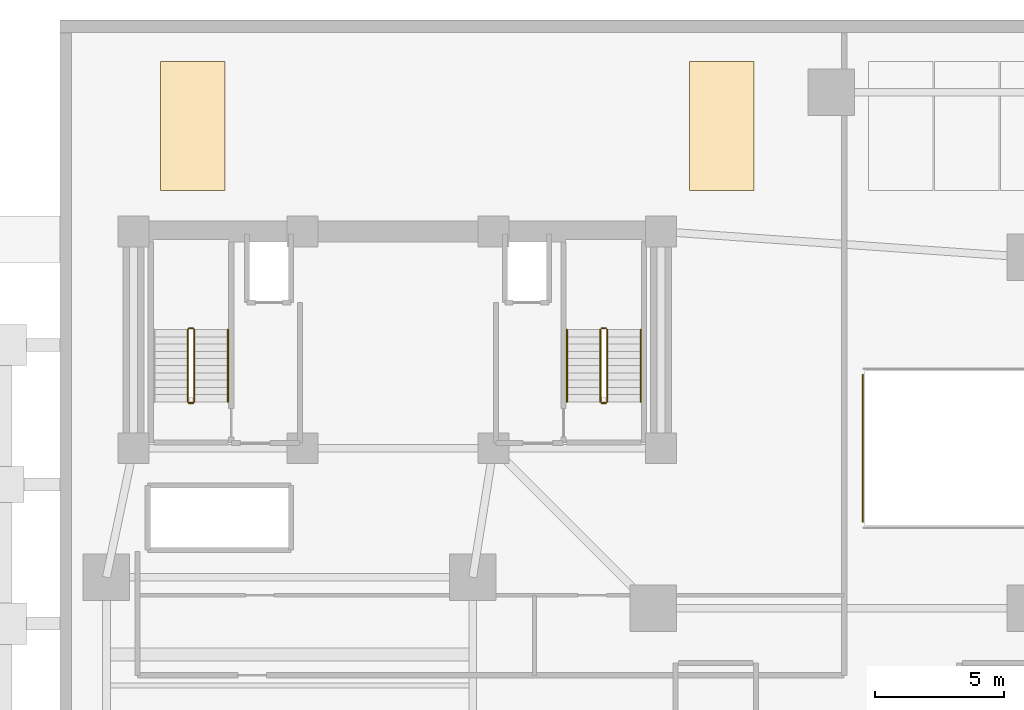
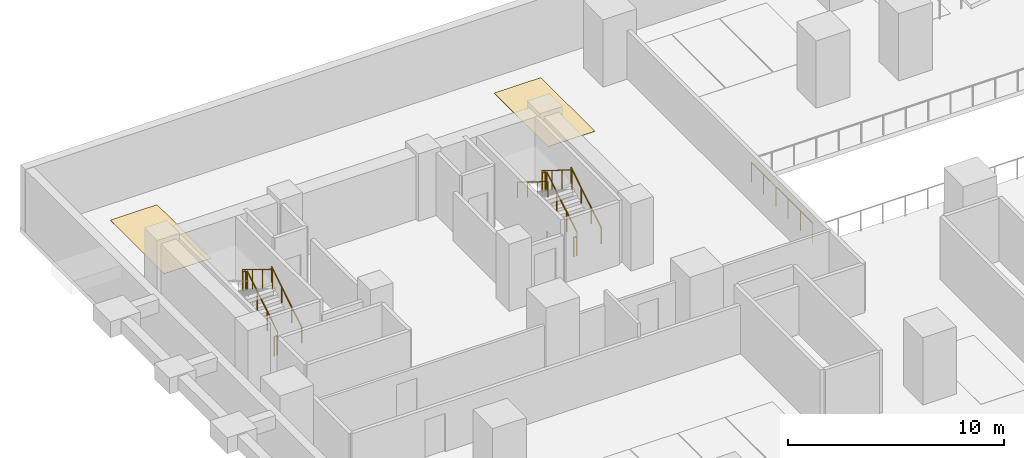
# One storey, part 7 of 9: 12 railings, 2 coverings.
"""IFC4 building model written with IfcOpenShell, lengths in metres."""

from ifc_helpers import new_model, si_unit, direction, frame, origin, origin_2d, place, context, subcontext, project, spatial, polyline, circle, outline, extrude, material, layer, layer_set, type_object, element, save


model = new_model("IFC4")

# Units and contexts
model_context = context("Model", 3, precision=1e-05, world=origin(), true_north=direction((0.0, 1.0)))
body_context = subcontext(model_context, "Body", "Model", "MODEL_VIEW")
ifc_project = project(units=[si_unit("LENGTHUNIT", "METRE"), si_unit("AREAUNIT", "SQUARE_METRE"), si_unit("VOLUMEUNIT", "CUBIC_METRE"), si_unit("PLANEANGLEUNIT", "RADIAN"), si_unit("MASSUNIT", "GRAM", prefix="KILO")], contexts=[model_context])

# Site, building, storey
site_placement = place(None, origin())
site = spatial("IfcSite", under=ifc_project, at=site_placement, CompositionType="ELEMENT")
building_placement = place(site_placement, origin())
building = spatial("IfcBuilding", under=site, at=building_placement, Name="Kuzgunbayir Cultural Tower", CompositionType="ELEMENT")
storey_placement = place(building_placement, frame((0.0, 0.0, -3.800048828125)))
storey = spatial("IfcBuildingStorey", under=building, at=storey_placement, Name="B01", CompositionType="ELEMENT", Elevation=-3.800048828125)

# Coverings
ifc_material_1 = material(Name="Epoxy Car Park Deck Coating", Category="finish")
ifc_layer_1 = layer(ifc_material_1, 0.006103515625)
ifc_layer_set_1 = layer_set([ifc_layer_1], Name="Epoxy Car Park Deck Coating")
covering_type = type_object("IfcCoveringType", Name="COV-PARK-BAY", PredefinedType="FLOORING", material=ifc_layer_set_1)
covering_1_placement = place(storey_placement, origin())
element("IfcCovering", 1, at=covering_1_placement, inside=storey, type_object=covering_type, Name="B01-P026 Car Parking Bay Marking", PredefinedType="FLOORING", context=body_context, shape_type="SweptSolid", body=[
    extrude(outline(polyline([(7.5, 43.800048828125), (10.0, 43.800048828125), (10.0, 48.800048828125), (7.5, 48.800048828125), (7.5, 43.800048828125)])), origin(), (0.0, 0.0, 1.0), 0.010009765625),
])
covering_2_placement = place(storey_placement, origin())
element("IfcCovering", 2, at=covering_2_placement, inside=storey, type_object=covering_type, Name="B01-P027 Car Parking Bay Marking", PredefinedType="FLOORING", context=body_context, shape_type="SweptSolid", body=[
    extrude(outline(polyline([(28.0, 43.800048828125), (30.5, 43.800048828125), (30.5, 48.800048828125), (28.0, 48.800048828125), (28.0, 43.800048828125)])), origin(), (0.0, 0.0, 1.0), 0.010009765625),
])

# Railings
ifc_material_2 = material(Name="Laminated Glass and Stainless Steel", Category="steel")
ifc_layer_2 = layer(ifc_material_2, 0.080078125)
ifc_layer_set_2 = layer_set([ifc_layer_2], Name="Laminated Glass and Stainless Steel")
railing_type_1 = type_object("IfcRailingType", Name="RLG-BAL-115", PredefinedType="BALUSTRADE", material=ifc_layer_set_2)
railing_1_placement = place(storey_placement, frame((34.719970703125, 36.639892578125, 0.0)))
element("IfcRailing", 3, at=railing_1_placement, inside=storey, type_object=railing_type_1, Name="B01 Perimeter Edge Guard 1", PredefinedType="BALUSTRADE", context=body_context, shape_type="SweptSolid", body=[
    extrude(circle(Radius=0.02392578125, at=origin_2d()), frame((0.0, 0.0, 1.1259765625), z_axis=(0.0, -1.0, 0.0), x_axis=(1.0, 0.0, 0.0)), (0.0, 0.0, 1.0), 5.679931640625),
    extrude(circle(Radius=0.02099609375, at=origin_2d()), origin(), (0.0, 0.0, 1.0), 1.101806640625),
    extrude(circle(Radius=0.02099609375, at=origin_2d()), frame((0.0, -1.135986328125, 0.0)), (0.0, 0.0, 1.0), 1.101806640625),
    extrude(circle(Radius=0.02099609375, at=origin_2d()), frame((0.0, -2.27197265625, 0.0)), (0.0, 0.0, 1.0), 1.101806640625),
    extrude(circle(Radius=0.02099609375, at=origin_2d()), frame((0.0, -3.407958984375, 0.0)), (0.0, 0.0, 1.0), 1.101806640625),
    extrude(circle(Radius=0.02099609375, at=origin_2d()), frame((0.0, -4.5439453125, 0.0)), (0.0, 0.0, 1.0), 1.101806640625),
    extrude(circle(Radius=0.02099609375, at=origin_2d()), frame((0.0, -5.679931640625, 0.0)), (0.0, 0.0, 1.0), 1.101806640625),
])
ifc_material_3 = material(Name="Brushed Stainless Steel", Category="steel")
ifc_layer_3 = layer(ifc_material_3, 0.050048828125)
ifc_layer_set_3 = layer_set([ifc_layer_3], Name="Brushed Stainless Steel")
railing_type_2 = type_object("IfcRailingType", Name="RLG-STAIR-HANDRAIL", PredefinedType="HANDRAIL", material=ifc_layer_set_3)
for number, where, name in (
    (4, (10.110107421875, 35.60009765625, 0.1728515625), "B01 ST-1 stair handrail 1"),
    (5, (26.110107421875, 35.60009765625, 0.1728515625), "B01 ST-2 stair handrail 1"),
):
    element("IfcRailing", number, at=place(storey_placement, frame(where)), inside=storey, type_object=railing_type_2, Name=name, PredefinedType="HANDRAIL", context=body_context, shape_type="SweptSolid", body=[
        extrude(circle(Radius=0.02392578125, at=origin_2d()), frame((0.0, 0.0, 0.8759765625), z_axis=(0.0, 0.851069175582, 0.525053576669), x_axis=(-1.0, 0.0, 0.0)), (0.0, 0.0, 1.0), 3.289794921875),
        extrude(circle(Radius=0.02099609375, at=origin_2d()), origin(), (0.0, 0.0, 1.0), 0.851806640625),
        extrude(circle(Radius=0.02099609375, at=origin_2d()), frame((0.0, 0.933349609375, 0.57568359375)), (0.0, 0.0, 1.0), 0.851806640625),
        extrude(circle(Radius=0.02099609375, at=origin_2d()), frame((0.0, 1.866455078125, 1.151611328125)), (0.0, 0.0, 1.0), 0.851806640625),
        extrude(circle(Radius=0.02099609375, at=origin_2d()), frame((0.0, 2.7998046875, 1.727294921875)), (0.0, 0.0, 1.0), 0.851806640625),
    ])
railing_2_placement = place(storey_placement, frame((23.25, 38.39990234375, 2.07275390625)))
element("IfcRailing", 6, at=railing_2_placement, inside=storey, type_object=railing_type_2, Name="B01 ST-2 stair handrail 2", PredefinedType="HANDRAIL", context=body_context, shape_type="SweptSolid", body=[
    extrude(circle(Radius=0.02392578125, at=origin_2d()), frame((0.0, 0.0, 0.8759765625), z_axis=(0.0, -0.851069175582, 0.525053576669), x_axis=(1.0, 0.0, 0.0)), (0.0, 0.0, 1.0), 3.289794921875),
    extrude(circle(Radius=0.02099609375, at=origin_2d()), origin(), (0.0, 0.0, 1.0), 0.851806640625),
    extrude(circle(Radius=0.02099609375, at=origin_2d()), frame((0.0, -0.933349609375, 0.57568359375)), (0.0, 0.0, 1.0), 0.851806640625),
    extrude(circle(Radius=0.02099609375, at=origin_2d()), frame((0.0, -1.866455078125, 1.151611328125)), (0.0, 0.0, 1.0), 0.851806640625),
    extrude(circle(Radius=0.02099609375, at=origin_2d()), frame((0.0, -2.7998046875, 1.727294921875)), (0.0, 0.0, 1.0), 0.851806640625),
])
ifc_material_4 = material(Name="Painted Steel Balustrade", Category="steel")
ifc_layer_4 = layer(ifc_material_4, 0.06005859375)
ifc_layer_set_4 = layer_set([ifc_layer_4], Name="Painted Steel Balustrade")
railing_type_3 = type_object("IfcRailingType", Name="RLG-WELL-GUARD", PredefinedType="GUARDRAIL", material=ifc_layer_set_4)
railing_3_placement = place(storey_placement, frame((8.81005859375, 35.60009765625, 0.1728515625)))
element("IfcRailing", 7, at=railing_3_placement, inside=storey, type_object=railing_type_3, Name="B01 ST-1 stair guard 1", PredefinedType="GUARDRAIL", context=body_context, shape_type="SweptSolid", body=[
    extrude(circle(Radius=0.02392578125, at=origin_2d()), frame((0.0, 0.0, 1.076171875), z_axis=(0.0, 0.851069175582, 0.525053576669), x_axis=(-1.0, 0.0, 0.0)), (0.0, 0.0, 1.0), 3.289794921875),
    extrude(circle(Radius=0.02099609375, at=origin_2d()), origin(), (0.0, 0.0, 1.0), 1.052001953125),
    extrude(circle(Radius=0.02099609375, at=origin_2d()), frame((0.0, 0.933349609375, 0.57568359375)), (0.0, 0.0, 1.0), 1.052001953125),
    extrude(circle(Radius=0.02099609375, at=origin_2d()), frame((0.0, 1.866455078125, 1.151611328125)), (0.0, 0.0, 1.0), 1.052001953125),
    extrude(circle(Radius=0.02099609375, at=origin_2d()), frame((0.0, 2.7998046875, 1.727294921875)), (0.0, 0.0, 1.0), 1.052001953125),
])
railing_4_placement = place(storey_placement, frame((8.760009765625, 38.449951171875, 1.900146484375)))
element("IfcRailing", 8, at=railing_4_placement, inside=storey, type_object=railing_type_3, Name="B01 ST-1 stair guard 2", PredefinedType="GUARDRAIL", context=body_context, shape_type="SweptSolid", body=[
    extrude(circle(Radius=0.02392578125, at=origin_2d()), frame((0.0, 0.0, 1.076171875), z_axis=(-1.0, 0.0, 0.0), x_axis=(0.0, -1.0, 0.0)), (0.0, 0.0, 1.0), 0.159912109375),
    extrude(circle(Radius=0.02099609375, at=origin_2d()), origin(), (0.0, 0.0, 1.0), 1.052001953125),
    extrude(circle(Radius=0.02099609375, at=origin_2d()), frame((-0.159912109375, 0.0, 0.0)), (0.0, 0.0, 1.0), 1.052001953125),
])
railing_5_placement = place(storey_placement, frame((8.550048828125, 38.39990234375, 2.07275390625)))
element("IfcRailing", 9, at=railing_5_placement, inside=storey, type_object=railing_type_3, Name="B01 ST-1 stair guard 3", PredefinedType="GUARDRAIL", context=body_context, shape_type="SweptSolid", body=[
    extrude(circle(Radius=0.02392578125, at=origin_2d()), frame((0.0, 0.0, 1.076171875), z_axis=(0.0, -0.851069175582, 0.525053576669), x_axis=(1.0, 0.0, 0.0)), (0.0, 0.0, 1.0), 3.289794921875),
    extrude(circle(Radius=0.02099609375, at=origin_2d()), origin(), (0.0, 0.0, 1.0), 1.052001953125),
    extrude(circle(Radius=0.02099609375, at=origin_2d()), frame((0.0, -0.933349609375, 0.57568359375)), (0.0, 0.0, 1.0), 1.052001953125),
    extrude(circle(Radius=0.02099609375, at=origin_2d()), frame((0.0, -1.866455078125, 1.151611328125)), (0.0, 0.0, 1.0), 1.052001953125),
    extrude(circle(Radius=0.02099609375, at=origin_2d()), frame((0.0, -2.7998046875, 1.727294921875)), (0.0, 0.0, 1.0), 1.052001953125),
])
railing_6_placement = place(storey_placement, frame((8.760009765625, 35.550048828125, 0.0)))
element("IfcRailing", 10, at=railing_6_placement, inside=storey, type_object=railing_type_3, Name="B01 ST-1 stair guard 4", PredefinedType="GUARDRAIL", context=body_context, shape_type="SweptSolid", body=[
    extrude(circle(Radius=0.02392578125, at=origin_2d()), frame((0.0, 0.0, 1.076171875), z_axis=(-1.0, 0.0, 0.0), x_axis=(0.0, -1.0, 0.0)), (0.0, 0.0, 1.0), 0.159912109375),
    extrude(circle(Radius=0.02099609375, at=origin_2d()), origin(), (0.0, 0.0, 1.0), 1.052001953125),
    extrude(circle(Radius=0.02099609375, at=origin_2d()), frame((-0.159912109375, 0.0, 0.0)), (0.0, 0.0, 1.0), 1.052001953125),
])
railing_7_placement = place(storey_placement, frame((24.81005859375, 35.60009765625, 0.1728515625)))
element("IfcRailing", 11, at=railing_7_placement, inside=storey, type_object=railing_type_3, Name="B01 ST-2 stair guard 1", PredefinedType="GUARDRAIL", context=body_context, shape_type="SweptSolid", body=[
    extrude(circle(Radius=0.02392578125, at=origin_2d()), frame((0.0, 0.0, 1.076171875), z_axis=(0.0, 0.851069175582, 0.525053576669), x_axis=(-1.0, 0.0, 0.0)), (0.0, 0.0, 1.0), 3.289794921875),
    extrude(circle(Radius=0.02099609375, at=origin_2d()), origin(), (0.0, 0.0, 1.0), 1.052001953125),
    extrude(circle(Radius=0.02099609375, at=origin_2d()), frame((0.0, 0.933349609375, 0.57568359375)), (0.0, 0.0, 1.0), 1.052001953125),
    extrude(circle(Radius=0.02099609375, at=origin_2d()), frame((0.0, 1.866455078125, 1.151611328125)), (0.0, 0.0, 1.0), 1.052001953125),
    extrude(circle(Radius=0.02099609375, at=origin_2d()), frame((0.0, 2.7998046875, 1.727294921875)), (0.0, 0.0, 1.0), 1.052001953125),
])
railing_8_placement = place(storey_placement, frame((24.760009765625, 38.449951171875, 1.900146484375)))
element("IfcRailing", 12, at=railing_8_placement, inside=storey, type_object=railing_type_3, Name="B01 ST-2 stair guard 2", PredefinedType="GUARDRAIL", context=body_context, shape_type="SweptSolid", body=[
    extrude(circle(Radius=0.02392578125, at=origin_2d()), frame((0.0, 0.0, 1.076171875), z_axis=(-1.0, 0.0, 0.0), x_axis=(0.0, -1.0, 0.0)), (0.0, 0.0, 1.0), 0.159912109375),
    extrude(circle(Radius=0.02099609375, at=origin_2d()), origin(), (0.0, 0.0, 1.0), 1.052001953125),
    extrude(circle(Radius=0.02099609375, at=origin_2d()), frame((-0.159912109375, 0.0, 0.0)), (0.0, 0.0, 1.0), 1.052001953125),
])
railing_9_placement = place(storey_placement, frame((24.550048828125, 38.39990234375, 2.07275390625)))
element("IfcRailing", 13, at=railing_9_placement, inside=storey, type_object=railing_type_3, Name="B01 ST-2 stair guard 3", PredefinedType="GUARDRAIL", context=body_context, shape_type="SweptSolid", body=[
    extrude(circle(Radius=0.02392578125, at=origin_2d()), frame((0.0, 0.0, 1.076171875), z_axis=(0.0, -0.851069175582, 0.525053576669), x_axis=(1.0, 0.0, 0.0)), (0.0, 0.0, 1.0), 3.289794921875),
    extrude(circle(Radius=0.02099609375, at=origin_2d()), origin(), (0.0, 0.0, 1.0), 1.052001953125),
    extrude(circle(Radius=0.02099609375, at=origin_2d()), frame((0.0, -0.933349609375, 0.57568359375)), (0.0, 0.0, 1.0), 1.052001953125),
    extrude(circle(Radius=0.02099609375, at=origin_2d()), frame((0.0, -1.866455078125, 1.151611328125)), (0.0, 0.0, 1.0), 1.052001953125),
    extrude(circle(Radius=0.02099609375, at=origin_2d()), frame((0.0, -2.7998046875, 1.727294921875)), (0.0, 0.0, 1.0), 1.052001953125),
])
railing_10_placement = place(storey_placement, frame((24.760009765625, 35.550048828125, 0.0)))
element("IfcRailing", 14, at=railing_10_placement, inside=storey, type_object=railing_type_3, Name="B01 ST-2 stair guard 4", PredefinedType="GUARDRAIL", context=body_context, shape_type="SweptSolid", body=[
    extrude(circle(Radius=0.02392578125, at=origin_2d()), frame((0.0, 0.0, 1.076171875), z_axis=(-1.0, 0.0, 0.0), x_axis=(0.0, -1.0, 0.0)), (0.0, 0.0, 1.0), 0.159912109375),
    extrude(circle(Radius=0.02099609375, at=origin_2d()), origin(), (0.0, 0.0, 1.0), 1.052001953125),
    extrude(circle(Radius=0.02099609375, at=origin_2d()), frame((-0.159912109375, 0.0, 0.0)), (0.0, 0.0, 1.0), 1.052001953125),
])

save(model, "model.ifc")
